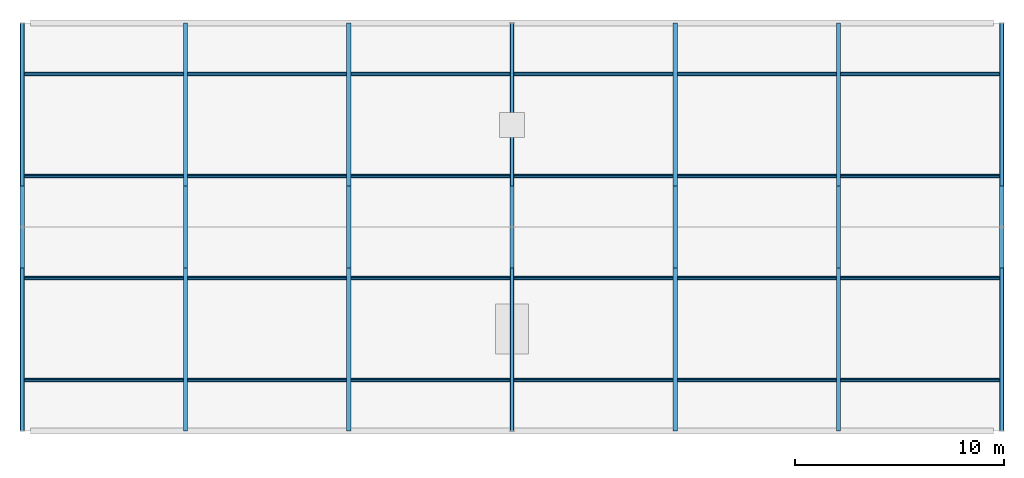
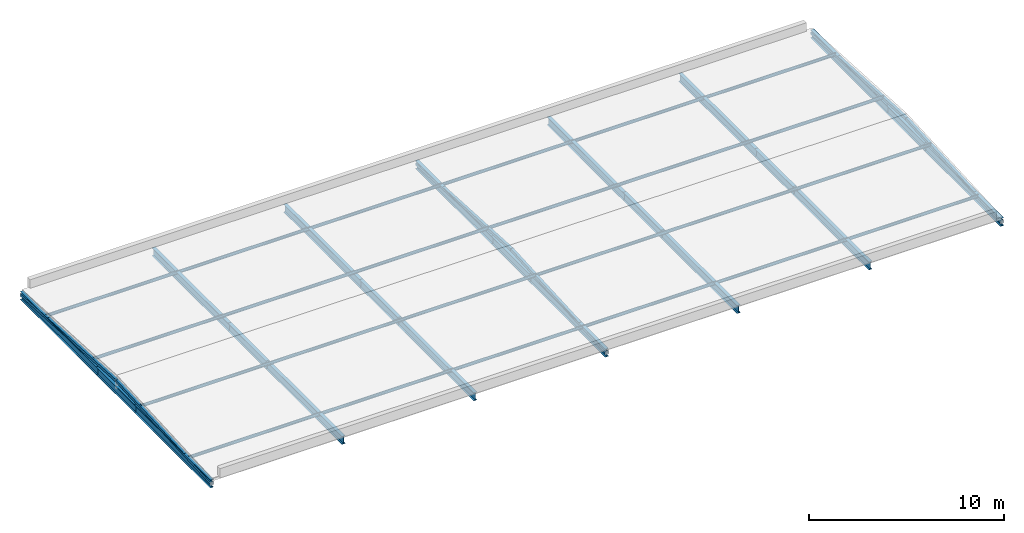
# One storey, part 1 of 13: 21 beams, 14 members.
"""IFC4 building model written with IfcOpenShell, lengths in metres."""

from ifc_helpers import new_model, si_unit, direction, frame, origin, origin_2d, place, context, subcontext, project, spatial, hollow_rectangle, hollow_circle, i_section, extrude, material, material_profile, profile_set, type_object, element, save


model = new_model("IFC4")

# Units and contexts
model_context = context("Model", 3, precision=1e-05, world=origin(), true_north=direction((0.0, 1.0)))
body_context = subcontext(model_context, "Body", "Model", "MODEL_VIEW")
ifc_project = project(units=[si_unit("LENGTHUNIT", "METRE"), si_unit("AREAUNIT", "SQUARE_METRE"), si_unit("VOLUMEUNIT", "CUBIC_METRE"), si_unit("PLANEANGLEUNIT", "RADIAN"), si_unit("MASSUNIT", "GRAM", prefix="KILO")], contexts=[model_context])

# Site, building, storey
site_placement = place(None, origin())
site = spatial("IfcSite", under=ifc_project, at=site_placement, CompositionType="ELEMENT")
building_placement = place(site_placement, origin())
building = spatial("IfcBuilding", under=site, at=building_placement, Name="Celorna Specialist Clinic", CompositionType="ELEMENT")
storey_placement = place(building_placement, frame((0.0, 0.0, 27.300048828125)))
storey = spatial("IfcBuildingStorey", under=building, at=storey_placement, Name="RF", CompositionType="ELEMENT", Elevation=27.300048828125)

# Beams
ifc_material = material(Name="Steel S355", Category="steel")
ifc_material_profile_1 = material_profile(ifc_material, i_section(OverallWidth=0.199951171875, OverallDepth=0.5, WebThickness=0.01025390625, FlangeThickness=0.01611328125, at=origin_2d()), Name="IPE 500")
ifc_profile_set_1 = profile_set([ifc_material_profile_1], Name="Steel S355")
beam_type = type_object("IfcBeamType", Name="BM-08", PredefinedType="BEAM", material=ifc_profile_set_1)
beam_1_placement = place(storey_placement, frame((46.800048828125, 96.5, -0.300048828125), z_axis=(0.0, 1.0, 0.0), x_axis=(-1.0, 0.0, 0.0)))
element("IfcBeam", 1, at=beam_1_placement, inside=storey, type_object=beam_type, Name="Belvedere roof girder X=46.8", PredefinedType="BEAM", context=body_context, shape_type="SweptSolid", body=[
    extrude(i_section(OverallWidth=0.199951171875, OverallDepth=0.5, WebThickness=0.01025390625, FlangeThickness=0.01611328125, at=origin_2d()), origin(), (0.0, 0.0, 1.0), 7.800048828125),
])
beam_2_placement = place(storey_placement, frame((46.800048828125, 104.300048828125, -0.300048828125), z_axis=(0.0, 1.0, 0.0), x_axis=(-1.0, 0.0, 0.0)))
element("IfcBeam", 2, at=beam_2_placement, inside=storey, type_object=beam_type, Name="Belvedere roof girder X=46.8", PredefinedType="BEAM", context=body_context, shape_type="SweptSolid", body=[
    extrude(i_section(OverallWidth=0.199951171875, OverallDepth=0.5, WebThickness=0.01025390625, FlangeThickness=0.01611328125, at=origin_2d()), origin(), (0.0, 0.0, 1.0), 3.89990234375),
])
for number, where, z_axis, x_axis, name in (
    (3, (46.800048828125, 108.199951171875, -0.300048828125), (0.0, 1.0, 0.0), (-1.0, 0.0, 0.0), "Belvedere roof girder X=46.8"),
    (4, (54.60009765625, 96.5, -0.300048828125), (0.0, 1.0, 0.0), (-1.0, 0.0, 0.0), "Belvedere roof girder X=54.6"),
):
    element("IfcBeam", number, at=place(storey_placement, frame(where, z_axis=z_axis, x_axis=x_axis)), inside=storey, type_object=beam_type, Name=name, PredefinedType="BEAM", context=body_context, shape_type="SweptSolid", body=[
        extrude(i_section(OverallWidth=0.199951171875, OverallDepth=0.5, WebThickness=0.01025390625, FlangeThickness=0.01611328125, at=origin_2d()), origin(), (0.0, 0.0, 1.0), 7.800048828125),
    ])
beam_3_placement = place(storey_placement, frame((54.60009765625, 104.300048828125, -0.300048828125), z_axis=(0.0, 1.0, 0.0), x_axis=(-1.0, 0.0, 0.0)))
element("IfcBeam", 5, at=beam_3_placement, inside=storey, type_object=beam_type, Name="Belvedere roof girder X=54.6", PredefinedType="BEAM", context=body_context, shape_type="SweptSolid", body=[
    extrude(i_section(OverallWidth=0.199951171875, OverallDepth=0.5, WebThickness=0.01025390625, FlangeThickness=0.01611328125, at=origin_2d()), origin(), (0.0, 0.0, 1.0), 3.89990234375),
])
for number, where, z_axis, x_axis, name in (
    (6, (54.60009765625, 108.199951171875, -0.300048828125), (0.0, 1.0, 0.0), (-1.0, 0.0, 0.0), "Belvedere roof girder X=54.6"),
    (7, (62.39990234375, 96.5, -0.300048828125), (0.0, 1.0, 0.0), (-1.0, 0.0, 0.0), "Belvedere roof girder X=62.4"),
):
    element("IfcBeam", number, at=place(storey_placement, frame(where, z_axis=z_axis, x_axis=x_axis)), inside=storey, type_object=beam_type, Name=name, PredefinedType="BEAM", context=body_context, shape_type="SweptSolid", body=[
        extrude(i_section(OverallWidth=0.199951171875, OverallDepth=0.5, WebThickness=0.01025390625, FlangeThickness=0.01611328125, at=origin_2d()), origin(), (0.0, 0.0, 1.0), 7.800048828125),
    ])
beam_4_placement = place(storey_placement, frame((62.39990234375, 104.300048828125, -0.300048828125), z_axis=(0.0, 1.0, 0.0), x_axis=(-1.0, 0.0, 0.0)))
element("IfcBeam", 8, at=beam_4_placement, inside=storey, type_object=beam_type, Name="Belvedere roof girder X=62.4", PredefinedType="BEAM", context=body_context, shape_type="SweptSolid", body=[
    extrude(i_section(OverallWidth=0.199951171875, OverallDepth=0.5, WebThickness=0.01025390625, FlangeThickness=0.01611328125, at=origin_2d()), origin(), (0.0, 0.0, 1.0), 3.89990234375),
])
for number, where, z_axis, x_axis, name in (
    (9, (62.39990234375, 108.199951171875, -0.300048828125), (0.0, 1.0, 0.0), (-1.0, 0.0, 0.0), "Belvedere roof girder X=62.4"),
    (10, (70.199951171875, 96.5, -0.300048828125), (0.0, 1.0, 0.0), (-1.0, 0.0, 0.0), "Belvedere roof girder X=70.2"),
):
    element("IfcBeam", number, at=place(storey_placement, frame(where, z_axis=z_axis, x_axis=x_axis)), inside=storey, type_object=beam_type, Name=name, PredefinedType="BEAM", context=body_context, shape_type="SweptSolid", body=[
        extrude(i_section(OverallWidth=0.199951171875, OverallDepth=0.5, WebThickness=0.01025390625, FlangeThickness=0.01611328125, at=origin_2d()), origin(), (0.0, 0.0, 1.0), 7.800048828125),
    ])
beam_5_placement = place(storey_placement, frame((70.199951171875, 104.300048828125, -0.300048828125), z_axis=(0.0, 1.0, 0.0), x_axis=(-1.0, 0.0, 0.0)))
element("IfcBeam", 11, at=beam_5_placement, inside=storey, type_object=beam_type, Name="Belvedere roof girder X=70.2", PredefinedType="BEAM", context=body_context, shape_type="SweptSolid", body=[
    extrude(i_section(OverallWidth=0.199951171875, OverallDepth=0.5, WebThickness=0.01025390625, FlangeThickness=0.01611328125, at=origin_2d()), origin(), (0.0, 0.0, 1.0), 3.89990234375),
])
for number, where, z_axis, x_axis, name in (
    (12, (70.199951171875, 108.199951171875, -0.300048828125), (0.0, 1.0, 0.0), (-1.0, 0.0, 0.0), "Belvedere roof girder X=70.2"),
    (13, (78.0, 96.5, -0.300048828125), (0.0, 1.0, 0.0), (-1.0, 0.0, 0.0), "Belvedere roof girder X=78.0"),
):
    element("IfcBeam", number, at=place(storey_placement, frame(where, z_axis=z_axis, x_axis=x_axis)), inside=storey, type_object=beam_type, Name=name, PredefinedType="BEAM", context=body_context, shape_type="SweptSolid", body=[
        extrude(i_section(OverallWidth=0.199951171875, OverallDepth=0.5, WebThickness=0.01025390625, FlangeThickness=0.01611328125, at=origin_2d()), origin(), (0.0, 0.0, 1.0), 7.800048828125),
    ])
beam_6_placement = place(storey_placement, frame((78.0, 104.300048828125, -0.300048828125), z_axis=(0.0, 1.0, 0.0), x_axis=(-1.0, 0.0, 0.0)))
element("IfcBeam", 14, at=beam_6_placement, inside=storey, type_object=beam_type, Name="Belvedere roof girder X=78.0", PredefinedType="BEAM", context=body_context, shape_type="SweptSolid", body=[
    extrude(i_section(OverallWidth=0.199951171875, OverallDepth=0.5, WebThickness=0.01025390625, FlangeThickness=0.01611328125, at=origin_2d()), origin(), (0.0, 0.0, 1.0), 3.89990234375),
])
for number, where, z_axis, x_axis, name in (
    (15, (78.0, 108.199951171875, -0.300048828125), (0.0, 1.0, 0.0), (-1.0, 0.0, 0.0), "Belvedere roof girder X=78.0"),
    (16, (85.800048828125, 96.5, -0.300048828125), (0.0, 1.0, 0.0), (-1.0, 0.0, 0.0), "Belvedere roof girder X=85.8"),
):
    element("IfcBeam", number, at=place(storey_placement, frame(where, z_axis=z_axis, x_axis=x_axis)), inside=storey, type_object=beam_type, Name=name, PredefinedType="BEAM", context=body_context, shape_type="SweptSolid", body=[
        extrude(i_section(OverallWidth=0.199951171875, OverallDepth=0.5, WebThickness=0.01025390625, FlangeThickness=0.01611328125, at=origin_2d()), origin(), (0.0, 0.0, 1.0), 7.800048828125),
    ])
beam_7_placement = place(storey_placement, frame((85.800048828125, 104.300048828125, -0.300048828125), z_axis=(0.0, 1.0, 0.0), x_axis=(-1.0, 0.0, 0.0)))
element("IfcBeam", 17, at=beam_7_placement, inside=storey, type_object=beam_type, Name="Belvedere roof girder X=85.8", PredefinedType="BEAM", context=body_context, shape_type="SweptSolid", body=[
    extrude(i_section(OverallWidth=0.199951171875, OverallDepth=0.5, WebThickness=0.01025390625, FlangeThickness=0.01611328125, at=origin_2d()), origin(), (0.0, 0.0, 1.0), 3.89990234375),
])
for number, where, z_axis, x_axis, name in (
    (18, (85.800048828125, 108.199951171875, -0.300048828125), (0.0, 1.0, 0.0), (-1.0, 0.0, 0.0), "Belvedere roof girder X=85.8"),
    (19, (93.60009765625, 96.5, -0.300048828125), (0.0, 1.0, 0.0), (-1.0, 0.0, 0.0), "Belvedere roof girder X=93.6"),
):
    element("IfcBeam", number, at=place(storey_placement, frame(where, z_axis=z_axis, x_axis=x_axis)), inside=storey, type_object=beam_type, Name=name, PredefinedType="BEAM", context=body_context, shape_type="SweptSolid", body=[
        extrude(i_section(OverallWidth=0.199951171875, OverallDepth=0.5, WebThickness=0.01025390625, FlangeThickness=0.01611328125, at=origin_2d()), origin(), (0.0, 0.0, 1.0), 7.800048828125),
    ])
beam_8_placement = place(storey_placement, frame((93.60009765625, 104.300048828125, -0.300048828125), z_axis=(0.0, 1.0, 0.0), x_axis=(-1.0, 0.0, 0.0)))
element("IfcBeam", 20, at=beam_8_placement, inside=storey, type_object=beam_type, Name="Belvedere roof girder X=93.6", PredefinedType="BEAM", context=body_context, shape_type="SweptSolid", body=[
    extrude(i_section(OverallWidth=0.199951171875, OverallDepth=0.5, WebThickness=0.01025390625, FlangeThickness=0.01611328125, at=origin_2d()), origin(), (0.0, 0.0, 1.0), 3.89990234375),
])
beam_9_placement = place(storey_placement, frame((93.60009765625, 108.199951171875, -0.300048828125), z_axis=(0.0, 1.0, 0.0), x_axis=(-1.0, 0.0, 0.0)))
element("IfcBeam", 21, at=beam_9_placement, inside=storey, type_object=beam_type, Name="Belvedere roof girder X=93.6", PredefinedType="BEAM", context=body_context, shape_type="SweptSolid", body=[
    extrude(i_section(OverallWidth=0.199951171875, OverallDepth=0.5, WebThickness=0.01025390625, FlangeThickness=0.01611328125, at=origin_2d()), origin(), (0.0, 0.0, 1.0), 7.800048828125),
])

# Members
ifc_material_profile_2 = material_profile(ifc_material, hollow_circle(Radius=0.096923828125, WallThickness=0.010009765625, at=origin_2d()), Name="CHS 193.7x10")
ifc_profile_set_2 = profile_set([ifc_material_profile_2], Name="Steel S355")
member_type_1 = type_object("IfcMemberType", Name="MB-04", PredefinedType="PURLIN", material=ifc_profile_set_2)
member_1_placement = place(storey_placement, frame((46.800048828125, 98.9375, -0.136962890625), z_axis=(1.0, 0.0, 0.0), x_axis=(0.0, 1.0, 0.0)))
element("IfcMember", 22, at=member_1_placement, inside=storey, type_object=member_type_1, Name="Roof purlin WP-395-WP-396", PredefinedType="PURLIN", context=body_context, shape_type="SweptSolid", body=[
    extrude(hollow_circle(Radius=0.096923828125, WallThickness=0.010009765625, at=origin_2d()), origin(), (0.0, 0.0, 1.0), 23.39990234375),
])
member_2_placement = place(storey_placement, frame((70.199951171875, 98.9375, -0.136962890625), z_axis=(1.0, 0.0, 0.0), x_axis=(0.0, 1.0, 0.0)))
element("IfcMember", 23, at=member_2_placement, inside=storey, type_object=member_type_1, Name="Roof purlin WP-396-WP-397", PredefinedType="PURLIN", context=body_context, shape_type="SweptSolid", body=[
    extrude(hollow_circle(Radius=0.096923828125, WallThickness=0.010009765625, at=origin_2d()), origin(), (0.0, 0.0, 1.0), 23.400146484375),
])
member_3_placement = place(storey_placement, frame((46.800048828125, 103.8125, 0.133056640625), z_axis=(1.0, 0.0, 0.0), x_axis=(0.0, 1.0, 0.0)))
element("IfcMember", 24, at=member_3_placement, inside=storey, type_object=member_type_1, Name="Roof purlin WP-398-WP-399", PredefinedType="PURLIN", context=body_context, shape_type="SweptSolid", body=[
    extrude(hollow_circle(Radius=0.096923828125, WallThickness=0.010009765625, at=origin_2d()), origin(), (0.0, 0.0, 1.0), 23.39990234375),
])
member_4_placement = place(storey_placement, frame((70.199951171875, 103.8125, 0.133056640625), z_axis=(1.0, 0.0, 0.0), x_axis=(0.0, 1.0, 0.0)))
element("IfcMember", 25, at=member_4_placement, inside=storey, type_object=member_type_1, Name="Roof purlin WP-399-WP-400", PredefinedType="PURLIN", context=body_context, shape_type="SweptSolid", body=[
    extrude(hollow_circle(Radius=0.096923828125, WallThickness=0.010009765625, at=origin_2d()), origin(), (0.0, 0.0, 1.0), 23.400146484375),
])
member_5_placement = place(storey_placement, frame((46.800048828125, 108.6875, 0.133056640625), z_axis=(1.0, 0.0, 0.0), x_axis=(0.0, 1.0, 0.0)))
element("IfcMember", 26, at=member_5_placement, inside=storey, type_object=member_type_1, Name="Roof purlin WP-404-WP-405", PredefinedType="PURLIN", context=body_context, shape_type="SweptSolid", body=[
    extrude(hollow_circle(Radius=0.096923828125, WallThickness=0.010009765625, at=origin_2d()), origin(), (0.0, 0.0, 1.0), 23.39990234375),
])
member_6_placement = place(storey_placement, frame((70.199951171875, 108.6875, 0.133056640625), z_axis=(1.0, 0.0, 0.0), x_axis=(0.0, 1.0, 0.0)))
element("IfcMember", 27, at=member_6_placement, inside=storey, type_object=member_type_1, Name="Roof purlin WP-405-WP-406", PredefinedType="PURLIN", context=body_context, shape_type="SweptSolid", body=[
    extrude(hollow_circle(Radius=0.096923828125, WallThickness=0.010009765625, at=origin_2d()), origin(), (0.0, 0.0, 1.0), 23.400146484375),
])
member_7_placement = place(storey_placement, frame((46.800048828125, 113.5625, -0.136962890625), z_axis=(1.0, 0.0, 0.0), x_axis=(0.0, 1.0, 0.0)))
element("IfcMember", 28, at=member_7_placement, inside=storey, type_object=member_type_1, Name="Roof purlin WP-407-WP-408", PredefinedType="PURLIN", context=body_context, shape_type="SweptSolid", body=[
    extrude(hollow_circle(Radius=0.096923828125, WallThickness=0.010009765625, at=origin_2d()), origin(), (0.0, 0.0, 1.0), 23.39990234375),
])
member_8_placement = place(storey_placement, frame((70.199951171875, 113.5625, -0.136962890625), z_axis=(1.0, 0.0, 0.0), x_axis=(0.0, 1.0, 0.0)))
element("IfcMember", 29, at=member_8_placement, inside=storey, type_object=member_type_1, Name="Roof purlin WP-408-WP-409", PredefinedType="PURLIN", context=body_context, shape_type="SweptSolid", body=[
    extrude(hollow_circle(Radius=0.096923828125, WallThickness=0.010009765625, at=origin_2d()), origin(), (0.0, 0.0, 1.0), 23.400146484375),
])
ifc_material_profile_3 = material_profile(ifc_material, hollow_rectangle(XDim=0.159912109375, YDim=0.159912109375, WallThickness=0.010009765625, at=origin_2d()), Name="SHS 160x160x10")
ifc_profile_set_3 = profile_set([ifc_material_profile_3], Name="Steel S355")
member_type_2 = type_object("IfcMemberType", Name="MB-09", PredefinedType="CHORD", material=ifc_profile_set_3)
for number, where, z_axis, x_axis, name in (
    (30, (46.800048828125, 96.5, -0.281982421875), (0.0, 0.998469570791, 0.05530385343), (-1.0, 0.0, 0.0), "Pitched roof rafter chord WP-389-WP-390"),
    (31, (70.199951171875, 96.5, -0.281982421875), (0.0, 0.998469570791, 0.05530385343), (-1.0, 0.0, 0.0), "Pitched roof rafter chord WP-391-WP-392"),
    (32, (93.60009765625, 96.5, -0.281982421875), (0.0, 0.998469570791, 0.05530385343), (-1.0, 0.0, 0.0), "Pitched roof rafter chord WP-393-WP-394"),
    (33, (46.800048828125, 106.25, 0.258056640625), (0.0, 0.998469570791, -0.05530385343), (-1.0, 0.0, 0.0), "Pitched roof rafter chord WP-390-WP-401"),
    (34, (70.199951171875, 106.25, 0.258056640625), (0.0, 0.998469570791, -0.05530385343), (-1.0, 0.0, 0.0), "Pitched roof rafter chord WP-392-WP-402"),
    (35, (93.60009765625, 106.25, 0.258056640625), (0.0, 0.998469570791, -0.05530385343), (-1.0, 0.0, 0.0), "Pitched roof rafter chord WP-394-WP-403"),
):
    element("IfcMember", number, at=place(storey_placement, frame(where, z_axis=z_axis, x_axis=x_axis)), inside=storey, type_object=member_type_2, Name=name, PredefinedType="CHORD", context=body_context, shape_type="SweptSolid", body=[
        extrude(hollow_rectangle(XDim=0.159912109375, YDim=0.159912109375, WallThickness=0.010009765625, at=origin_2d()), origin(), (0.0, 0.0, 1.0), 9.764892578125),
    ])

save(model, "model.ifc")
